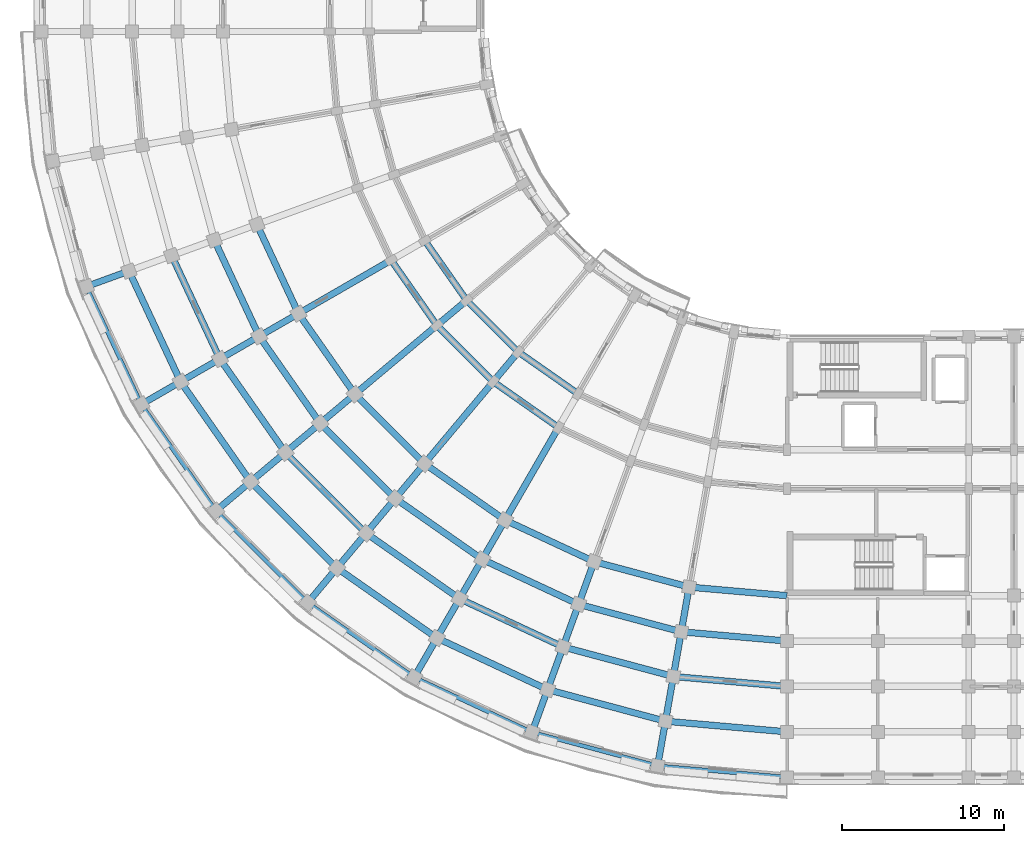
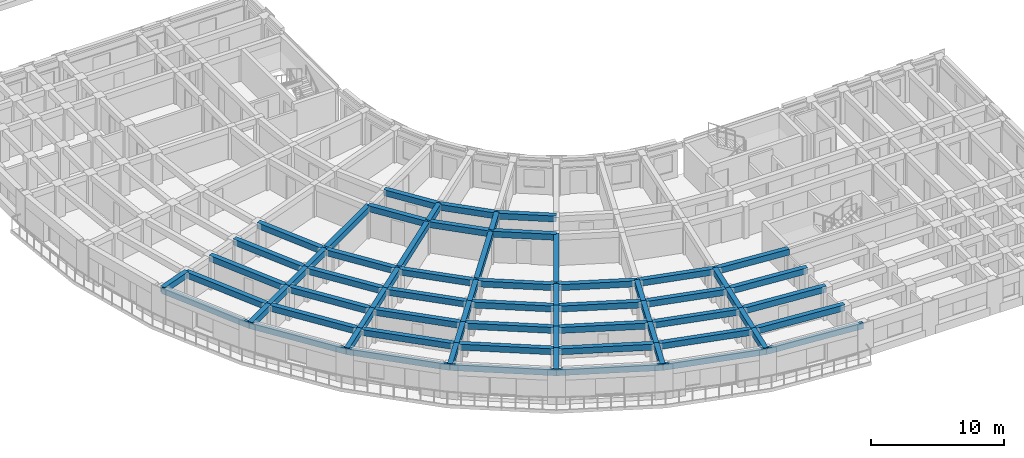
# One storey, part 3 of 54: 72 beams.
"""IFC4 building model written with IfcOpenShell, lengths in metres."""

from ifc_helpers import new_model, si_unit, direction, frame, origin, origin_2d, place, context, subcontext, project, spatial, rectangle, extrude, material, material_profile, profile_set, type_object, element, save


model = new_model("IFC4")

# Units and contexts
model_context = context("Model", 3, precision=1e-05, world=origin(), true_north=direction((0.0, 1.0)))
body_context = subcontext(model_context, "Body", "Model", "MODEL_VIEW")
ifc_project = project(units=[si_unit("LENGTHUNIT", "METRE"), si_unit("AREAUNIT", "SQUARE_METRE"), si_unit("VOLUMEUNIT", "CUBIC_METRE"), si_unit("PLANEANGLEUNIT", "RADIAN"), si_unit("MASSUNIT", "GRAM", prefix="KILO")], contexts=[model_context])

# Site, building, storey
site_placement = place(None, origin())
site = spatial("IfcSite", under=ifc_project, at=site_placement, CompositionType="ELEMENT")
building_placement = place(site_placement, origin())
building = spatial("IfcBuilding", under=site, at=building_placement, Name="Kiranvali Square Residences", CompositionType="ELEMENT")
storey_placement = place(building_placement, frame((0.0, 0.0, 11.85009765625)))
storey = spatial("IfcBuildingStorey", under=building, at=storey_placement, Name="L03", CompositionType="ELEMENT", Elevation=11.85009765625)

# Beams
ifc_material_1 = material(Name="Concrete M45 (45 MPa)", Category="concrete")
ifc_material_profile_1 = material_profile(ifc_material_1, rectangle(XDim=0.39990234375, YDim=0.550048828125, at=origin_2d()), Name="RC 400x550")
ifc_profile_set_1 = profile_set([ifc_material_profile_1], Name="Concrete M45 (45 MPa)")
beam_type_1 = type_object("IfcBeamType", Name="BM-M45-400x550", PredefinedType="BEAM", material=ifc_profile_set_1)
beam_1_placement = place(storey_placement, frame((48.199951171875, 13.39990234375, 2.65478515625), z_axis=(-0.996193018494, 0.087174938512, 0.0), x_axis=(-0.087174938512, -0.996193018494, 0.0)))
element("IfcBeam", 1, at=beam_1_placement, inside=storey, type_object=beam_type_1, Name="L03 beam BM-C-L03-C00-R3", PredefinedType="BEAM", context=body_context, shape_type="SweptSolid", body=[
    extrude(rectangle(XDim=0.39990234375, YDim=0.550048828125, at=origin_2d()), origin(), (0.0, 0.0, 1.0), 6.066162109375),
])
beam_2_placement = place(storey_placement, frame((48.199951171875, 10.60009765625, 2.65478515625), z_axis=(-0.996196991902, 0.0871295204, 0.0), x_axis=(-0.0871295204, -0.996196991902, 0.0)))
element("IfcBeam", 2, at=beam_2_placement, inside=storey, type_object=beam_type_1, Name="L03 beam BM-C-L03-C00-R4", PredefinedType="BEAM", context=body_context, shape_type="SweptSolid", body=[
    extrude(rectangle(XDim=0.39990234375, YDim=0.550048828125, at=origin_2d()), origin(), (0.0, 0.0, 1.0), 6.553955078125),
])
beam_3_placement = place(storey_placement, frame((48.199951171875, 7.800048828125, 2.65478515625), z_axis=(-0.996194658198, 0.087156198737, 0.0), x_axis=(-0.087156198737, -0.996194658198, 0.0)))
element("IfcBeam", 3, at=beam_3_placement, inside=storey, type_object=beam_type_1, Name="L03 beam BM-C-L03-C00-R5", PredefinedType="BEAM", context=body_context, shape_type="SweptSolid", body=[
    extrude(rectangle(XDim=0.39990234375, YDim=0.550048828125, at=origin_2d()), origin(), (0.0, 0.0, 1.0), 7.042236328125),
])
beam_4_placement = place(storey_placement, frame((48.199951171875, 5.0, 2.65478515625), z_axis=(-0.996195195417, 0.087150058103, 0.0), x_axis=(-0.087150058103, -0.996195195417, 0.0)))
element("IfcBeam", 4, at=beam_4_placement, inside=storey, type_object=beam_type_1, Name="L03 beam BM-C-L03-C00-R6", PredefinedType="BEAM", context=body_context, shape_type="SweptSolid", body=[
    extrude(rectangle(XDim=0.39990234375, YDim=0.550048828125, at=origin_2d()), origin(), (0.0, 0.0, 1.0), 7.530029296875),
])
beam_5_placement = place(storey_placement, frame((42.156982421875, 13.9287109375, 2.65478515625), z_axis=(-0.965923618901, 0.258827283048, 0.0), x_axis=(-0.258827283048, -0.965923618901, 0.0)))
element("IfcBeam", 5, at=beam_5_placement, inside=storey, type_object=beam_type_1, Name="L03 beam BM-C-L03-C01-R3", PredefinedType="BEAM", context=body_context, shape_type="SweptSolid", body=[
    extrude(rectangle(XDim=0.39990234375, YDim=0.550048828125, at=origin_2d()), origin(), (0.0, 0.0, 1.0), 6.066162109375),
])
beam_6_placement = place(storey_placement, frame((41.6708984375, 11.171142578125, 2.65478515625), z_axis=(-0.965918287583, 0.258847178297, 0.0), x_axis=(-0.258847178297, -0.965918287583, 0.0)))
element("IfcBeam", 6, at=beam_6_placement, inside=storey, type_object=beam_type_1, Name="L03 beam BM-C-L03-C01-R4", PredefinedType="BEAM", context=body_context, shape_type="SweptSolid", body=[
    extrude(rectangle(XDim=0.39990234375, YDim=0.550048828125, at=origin_2d()), origin(), (0.0, 0.0, 1.0), 6.55419921875),
])
beam_7_placement = place(storey_placement, frame((41.1845703125, 8.413818359375, 2.65478515625), z_axis=(-0.965931029817, 0.258799624492, 0.0), x_axis=(-0.258799624492, -0.965931029817, 0.0)))
element("IfcBeam", 7, at=beam_7_placement, inside=storey, type_object=beam_type_1, Name="L03 beam BM-C-L03-C01-R5", PredefinedType="BEAM", context=body_context, shape_type="SweptSolid", body=[
    extrude(rectangle(XDim=0.39990234375, YDim=0.550048828125, at=origin_2d()), origin(), (0.0, 0.0, 1.0), 7.042236328125),
])
beam_8_placement = place(storey_placement, frame((40.698486328125, 5.65625, 2.65478515625), z_axis=(-0.965925909693, 0.258818733833, 0.0), x_axis=(-0.258818733833, -0.965925909693, 0.0)))
element("IfcBeam", 8, at=beam_8_placement, inside=storey, type_object=beam_type_1, Name="L03 beam BM-C-L03-C01-R6", PredefinedType="BEAM", context=body_context, shape_type="SweptSolid", body=[
    extrude(rectangle(XDim=0.39990234375, YDim=0.550048828125, at=origin_2d()), origin(), (0.0, 0.0, 1.0), 7.5302734375),
])
beam_9_placement = place(storey_placement, frame((36.297607421875, 15.498779296875, 2.65478515625), z_axis=(-0.906312656069, 0.42260781991, 0.0), x_axis=(-0.42260781991, -0.906312656069, 0.0)))
element("IfcBeam", 9, at=beam_9_placement, inside=storey, type_object=beam_type_1, Name="L03 beam BM-C-L03-C02-R3", PredefinedType="BEAM", context=body_context, shape_type="SweptSolid", body=[
    extrude(rectangle(XDim=0.39990234375, YDim=0.550048828125, at=origin_2d()), origin(), (0.0, 0.0, 1.0), 6.06591796875),
])
beam_10_placement = place(storey_placement, frame((35.340087890625, 12.86767578125, 2.65478515625), z_axis=(-0.906318225223, 0.422595876255, 0.0), x_axis=(-0.422595876255, -0.906318225223, 0.0)))
element("IfcBeam", 10, at=beam_10_placement, inside=storey, type_object=beam_type_1, Name="L03 beam BM-C-L03-C02-R4", PredefinedType="BEAM", context=body_context, shape_type="SweptSolid", body=[
    extrude(rectangle(XDim=0.39990234375, YDim=0.550048828125, at=origin_2d()), origin(), (0.0, 0.0, 1.0), 6.55419921875),
])
beam_11_placement = place(storey_placement, frame((34.38232421875, 10.236328125, 2.65478515625), z_axis=(-0.906297360311, 0.422640621205, 0.0), x_axis=(-0.422640621205, -0.906297360311, 0.0)))
element("IfcBeam", 11, at=beam_11_placement, inside=storey, type_object=beam_type_1, Name="L03 beam BM-C-L03-C02-R5", PredefinedType="BEAM", context=body_context, shape_type="SweptSolid", body=[
    extrude(rectangle(XDim=0.39990234375, YDim=0.550048828125, at=origin_2d()), origin(), (0.0, 0.0, 1.0), 7.042236328125),
])
beam_12_placement = place(storey_placement, frame((33.4248046875, 7.605224609375, 2.65478515625), z_axis=(-0.90630982703, 0.422613886933, 0.0), x_axis=(-0.422613886933, -0.90630982703, 0.0)))
element("IfcBeam", 12, at=beam_12_placement, inside=storey, type_object=beam_type_1, Name="L03 beam BM-C-L03-C02-R6", PredefinedType="BEAM", context=body_context, shape_type="SweptSolid", body=[
    extrude(rectangle(XDim=0.39990234375, YDim=0.550048828125, at=origin_2d()), origin(), (0.0, 0.0, 1.0), 7.5302734375),
])
beam_13_placement = place(storey_placement, frame((35.300048828125, 25.8564453125, 2.65478515625), z_axis=(-0.819155404658, 0.573571637217, 0.0), x_axis=(-0.573571637217, -0.819155404658, 0.0)))
element("IfcBeam", 13, at=beam_13_placement, inside=storey, type_object=beam_type_1, Name="L03 beam BM-C-L03-C03-R1", PredefinedType="BEAM", context=body_context, shape_type="SweptSolid", body=[
    extrude(rectangle(XDim=0.39990234375, YDim=0.550048828125, at=origin_2d()), origin(), (0.0, 0.0, 1.0), 4.497314453125),
])
beam_14_placement = place(storey_placement, frame((34.10009765625, 23.778076171875, 2.65478515625), z_axis=(-0.819140911474, 0.573592335331, 0.0), x_axis=(-0.573592335331, -0.819140911474, 0.0)))
element("IfcBeam", 14, at=beam_14_placement, inside=storey, type_object=beam_type_1, Name="L03 beam BM-C-L03-C03-R2", PredefinedType="BEAM", context=body_context, shape_type="SweptSolid", body=[
    extrude(rectangle(XDim=0.39990234375, YDim=0.550048828125, at=origin_2d()), origin(), (0.0, 0.0, 1.0), 4.915771484375),
])
beam_15_placement = place(storey_placement, frame((30.800048828125, 18.062255859375, 2.65478515625), z_axis=(-0.81913926159, 0.573594691504, 0.0), x_axis=(-0.573594691504, -0.81913926159, 0.0)))
element("IfcBeam", 15, at=beam_15_placement, inside=storey, type_object=beam_type_1, Name="L03 beam BM-C-L03-C03-R3", PredefinedType="BEAM", context=body_context, shape_type="SweptSolid", body=[
    extrude(rectangle(XDim=0.39990234375, YDim=0.550048828125, at=origin_2d()), origin(), (0.0, 0.0, 1.0), 6.066162109375),
])
beam_16_placement = place(storey_placement, frame((29.39990234375, 15.637451171875, 2.65478515625), z_axis=(-0.819144409176, 0.573587340268, 0.0), x_axis=(-0.573587340268, -0.819144409176, 0.0)))
element("IfcBeam", 16, at=beam_16_placement, inside=storey, type_object=beam_type_1, Name="L03 beam BM-C-L03-C03-R4", PredefinedType="BEAM", context=body_context, shape_type="SweptSolid", body=[
    extrude(rectangle(XDim=0.39990234375, YDim=0.550048828125, at=origin_2d()), origin(), (0.0, 0.0, 1.0), 6.553955078125),
])
beam_17_placement = place(storey_placement, frame((28.0, 13.212646484375, 2.65478515625), z_axis=(-0.819160249246, 0.57356471828, 0.0), x_axis=(-0.57356471828, -0.819160249246, 0.0)))
element("IfcBeam", 17, at=beam_17_placement, inside=storey, type_object=beam_type_1, Name="L03 beam BM-C-L03-C03-R5", PredefinedType="BEAM", context=body_context, shape_type="SweptSolid", body=[
    extrude(rectangle(XDim=0.39990234375, YDim=0.550048828125, at=origin_2d()), origin(), (0.0, 0.0, 1.0), 7.0419921875),
])
beam_18_placement = place(storey_placement, frame((26.60009765625, 10.78759765625, 2.65478515625), z_axis=(-0.819143569597, 0.573588539275, 0.0), x_axis=(-0.573588539275, -0.819143569597, 0.0)))
element("IfcBeam", 18, at=beam_18_placement, inside=storey, type_object=beam_type_1, Name="L03 beam BM-C-L03-C03-R6", PredefinedType="BEAM", context=body_context, shape_type="SweptSolid", body=[
    extrude(rectangle(XDim=0.39990234375, YDim=0.550048828125, at=origin_2d()), origin(), (0.0, 0.0, 1.0), 7.5302734375),
])
beam_19_placement = place(storey_placement, frame((31.615966796875, 28.43603515625, 2.65478515625), z_axis=(-0.707106781187, 0.707106781187, 0.0), x_axis=(-0.707106781187, -0.707106781187, 0.0)))
element("IfcBeam", 19, at=beam_19_placement, inside=storey, type_object=beam_type_1, Name="L03 beam BM-C-L03-C04-R1", PredefinedType="BEAM", context=body_context, shape_type="SweptSolid", body=[
    extrude(rectangle(XDim=0.39990234375, YDim=0.550048828125, at=origin_2d()), origin(), (0.0, 0.0, 1.0), 4.4970703125),
])
beam_20_placement = place(storey_placement, frame((30.073486328125, 26.59765625, 2.65478515625), z_axis=(-0.707106781187, 0.707106781187, 0.0), x_axis=(-0.707106781187, -0.707106781187, 0.0)))
element("IfcBeam", 20, at=beam_20_placement, inside=storey, type_object=beam_type_1, Name="L03 beam BM-C-L03-C04-R2", PredefinedType="BEAM", context=body_context, shape_type="SweptSolid", body=[
    extrude(rectangle(XDim=0.39990234375, YDim=0.550048828125, at=origin_2d()), origin(), (0.0, 0.0, 1.0), 4.91552734375),
])
beam_21_placement = place(storey_placement, frame((25.8310546875, 21.541748046875, 2.65478515625), z_axis=(-0.707106781187, 0.707106781187, 0.0), x_axis=(-0.707106781187, -0.707106781187, 0.0)))
element("IfcBeam", 21, at=beam_21_placement, inside=storey, type_object=beam_type_1, Name="L03 beam BM-C-L03-C04-R3", PredefinedType="BEAM", context=body_context, shape_type="SweptSolid", body=[
    extrude(rectangle(XDim=0.39990234375, YDim=0.550048828125, at=origin_2d()), origin(), (0.0, 0.0, 1.0), 6.06591796875),
])
beam_22_placement = place(storey_placement, frame((24.03125, 19.396728515625, 2.65478515625), z_axis=(-0.707106781187, 0.707106781187, 0.0), x_axis=(-0.707106781187, -0.707106781187, 0.0)))
element("IfcBeam", 22, at=beam_22_placement, inside=storey, type_object=beam_type_1, Name="L03 beam BM-C-L03-C04-R4", PredefinedType="BEAM", context=body_context, shape_type="SweptSolid", body=[
    extrude(rectangle(XDim=0.39990234375, YDim=0.550048828125, at=origin_2d()), origin(), (0.0, 0.0, 1.0), 6.55419921875),
])
beam_23_placement = place(storey_placement, frame((22.2314453125, 17.251708984375, 2.65478515625), z_axis=(-0.707106781187, 0.707106781187, 0.0), x_axis=(-0.707106781187, -0.707106781187, 0.0)))
element("IfcBeam", 23, at=beam_23_placement, inside=storey, type_object=beam_type_1, Name="L03 beam BM-C-L03-C04-R5", PredefinedType="BEAM", context=body_context, shape_type="SweptSolid", body=[
    extrude(rectangle(XDim=0.39990234375, YDim=0.550048828125, at=origin_2d()), origin(), (0.0, 0.0, 1.0), 7.04248046875),
])
beam_24_placement = place(storey_placement, frame((20.431640625, 15.10693359375, 2.65478515625), z_axis=(-0.707106781187, 0.707106781187, 0.0), x_axis=(-0.707106781187, -0.707106781187, 0.0)))
element("IfcBeam", 24, at=beam_24_placement, inside=storey, type_object=beam_type_1, Name="L03 beam BM-C-L03-C04-R6", PredefinedType="BEAM", context=body_context, shape_type="SweptSolid", body=[
    extrude(rectangle(XDim=0.39990234375, YDim=0.550048828125, at=origin_2d()), origin(), (0.0, 0.0, 1.0), 7.5302734375),
])
beam_25_placement = place(storey_placement, frame((28.43603515625, 31.615966796875, 2.65478515625), z_axis=(-0.573571637217, 0.819155404658, 0.0), x_axis=(-0.819155404658, -0.573571637217, 0.0)))
element("IfcBeam", 25, at=beam_25_placement, inside=storey, type_object=beam_type_1, Name="L03 beam BM-C-L03-C05-R1", PredefinedType="BEAM", context=body_context, shape_type="SweptSolid", body=[
    extrude(rectangle(XDim=0.39990234375, YDim=0.550048828125, at=origin_2d()), origin(), (0.0, 0.0, 1.0), 4.497314453125),
])
beam_26_placement = place(storey_placement, frame((26.59765625, 30.073486328125, 2.65478515625), z_axis=(-0.573592335331, 0.819140911474, 0.0), x_axis=(-0.819140911474, -0.573592335331, 0.0)))
element("IfcBeam", 26, at=beam_26_placement, inside=storey, type_object=beam_type_1, Name="L03 beam BM-C-L03-C05-R2", PredefinedType="BEAM", context=body_context, shape_type="SweptSolid", body=[
    extrude(rectangle(XDim=0.39990234375, YDim=0.550048828125, at=origin_2d()), origin(), (0.0, 0.0, 1.0), 4.915771484375),
])
beam_27_placement = place(storey_placement, frame((21.541748046875, 25.8310546875, 2.65478515625), z_axis=(-0.573594691504, 0.81913926159, 0.0), x_axis=(-0.81913926159, -0.573594691504, 0.0)))
element("IfcBeam", 27, at=beam_27_placement, inside=storey, type_object=beam_type_1, Name="L03 beam BM-C-L03-C05-R3", PredefinedType="BEAM", context=body_context, shape_type="SweptSolid", body=[
    extrude(rectangle(XDim=0.39990234375, YDim=0.550048828125, at=origin_2d()), origin(), (0.0, 0.0, 1.0), 6.066162109375),
])
beam_28_placement = place(storey_placement, frame((19.396728515625, 24.03125, 2.65478515625), z_axis=(-0.573587340268, 0.819144409176, 0.0), x_axis=(-0.819144409176, -0.573587340268, 0.0)))
element("IfcBeam", 28, at=beam_28_placement, inside=storey, type_object=beam_type_1, Name="L03 beam BM-C-L03-C05-R4", PredefinedType="BEAM", context=body_context, shape_type="SweptSolid", body=[
    extrude(rectangle(XDim=0.39990234375, YDim=0.550048828125, at=origin_2d()), origin(), (0.0, 0.0, 1.0), 6.553955078125),
])
beam_29_placement = place(storey_placement, frame((17.251708984375, 22.2314453125, 2.65478515625), z_axis=(-0.57356471828, 0.819160249246, 0.0), x_axis=(-0.819160249246, -0.57356471828, 0.0)))
element("IfcBeam", 29, at=beam_29_placement, inside=storey, type_object=beam_type_1, Name="L03 beam BM-C-L03-C05-R5", PredefinedType="BEAM", context=body_context, shape_type="SweptSolid", body=[
    extrude(rectangle(XDim=0.39990234375, YDim=0.550048828125, at=origin_2d()), origin(), (0.0, 0.0, 1.0), 7.0419921875),
])
beam_30_placement = place(storey_placement, frame((15.10693359375, 20.431640625, 2.65478515625), z_axis=(-0.573588539275, 0.819143569597, 0.0), x_axis=(-0.819143569597, -0.573588539275, 0.0)))
element("IfcBeam", 30, at=beam_30_placement, inside=storey, type_object=beam_type_1, Name="L03 beam BM-C-L03-C05-R6", PredefinedType="BEAM", context=body_context, shape_type="SweptSolid", body=[
    extrude(rectangle(XDim=0.39990234375, YDim=0.550048828125, at=origin_2d()), origin(), (0.0, 0.0, 1.0), 7.5302734375),
])
beam_31_placement = place(storey_placement, frame((18.062255859375, 30.800048828125, 2.65478515625), z_axis=(-0.42260781991, 0.906312656069, 0.0), x_axis=(-0.906312656069, -0.42260781991, 0.0)))
element("IfcBeam", 31, at=beam_31_placement, inside=storey, type_object=beam_type_1, Name="L03 beam BM-C-L03-C06-R3", PredefinedType="BEAM", context=body_context, shape_type="SweptSolid", body=[
    extrude(rectangle(XDim=0.39990234375, YDim=0.550048828125, at=origin_2d()), origin(), (0.0, 0.0, 1.0), 6.06591796875),
])
beam_32_placement = place(storey_placement, frame((15.637451171875, 29.39990234375, 2.65478515625), z_axis=(-0.422595876255, 0.906318225223, 0.0), x_axis=(-0.906318225223, -0.422595876255, 0.0)))
element("IfcBeam", 32, at=beam_32_placement, inside=storey, type_object=beam_type_1, Name="L03 beam BM-C-L03-C06-R4", PredefinedType="BEAM", context=body_context, shape_type="SweptSolid", body=[
    extrude(rectangle(XDim=0.39990234375, YDim=0.550048828125, at=origin_2d()), origin(), (0.0, 0.0, 1.0), 6.55419921875),
])
beam_33_placement = place(storey_placement, frame((13.212646484375, 28.0, 2.65478515625), z_axis=(-0.422640621205, 0.906297360311, 0.0), x_axis=(-0.906297360311, -0.422640621205, 0.0)))
element("IfcBeam", 33, at=beam_33_placement, inside=storey, type_object=beam_type_1, Name="L03 beam BM-C-L03-C06-R5", PredefinedType="BEAM", context=body_context, shape_type="SweptSolid", body=[
    extrude(rectangle(XDim=0.39990234375, YDim=0.550048828125, at=origin_2d()), origin(), (0.0, 0.0, 1.0), 7.042236328125),
])
beam_34_placement = place(storey_placement, frame((10.78759765625, 26.60009765625, 2.65478515625), z_axis=(-0.422613886933, 0.90630982703, 0.0), x_axis=(-0.90630982703, -0.422613886933, 0.0)))
element("IfcBeam", 34, at=beam_34_placement, inside=storey, type_object=beam_type_1, Name="L03 beam BM-C-L03-C06-R6", PredefinedType="BEAM", context=body_context, shape_type="SweptSolid", body=[
    extrude(rectangle(XDim=0.39990234375, YDim=0.550048828125, at=origin_2d()), origin(), (0.0, 0.0, 1.0), 7.5302734375),
])
beam_35_placement = place(storey_placement, frame((42.156982421875, 13.9287109375, 2.65478515625), z_axis=(-0.173596320392, -0.984816895441, 0.0), x_axis=(0.984816895441, -0.173596320392, 0.0)))
element("IfcBeam", 35, at=beam_35_placement, inside=storey, type_object=beam_type_1, Name="L03 beam BM-C-L03-RAD01-34", PredefinedType="BEAM", context=body_context, shape_type="SweptSolid", body=[
    extrude(rectangle(XDim=0.39990234375, YDim=0.550048828125, at=origin_2d()), origin(), (0.0, 0.0, 1.0), 2.800048828125),
])
beam_36_placement = place(storey_placement, frame((41.6708984375, 11.171142578125, 2.65478515625), z_axis=(-0.173695795656, -0.984799355489, 0.0), x_axis=(0.984799355489, -0.173695795656, 0.0)))
element("IfcBeam", 36, at=beam_36_placement, inside=storey, type_object=beam_type_1, Name="L03 beam BM-C-L03-RAD01-45", PredefinedType="BEAM", context=body_context, shape_type="SweptSolid", body=[
    extrude(rectangle(XDim=0.39990234375, YDim=0.550048828125, at=origin_2d()), origin(), (0.0, 0.0, 1.0), 2.7998046875),
])
beam_37_placement = place(storey_placement, frame((41.1845703125, 8.413818359375, 2.65478515625), z_axis=(-0.173596320392, -0.984816895441, 0.0), x_axis=(0.984816895441, -0.173596320392, 0.0)))
element("IfcBeam", 37, at=beam_37_placement, inside=storey, type_object=beam_type_1, Name="L03 beam BM-C-L03-RAD01-56", PredefinedType="BEAM", context=body_context, shape_type="SweptSolid", body=[
    extrude(rectangle(XDim=0.39990234375, YDim=0.550048828125, at=origin_2d()), origin(), (0.0, 0.0, 1.0), 2.800048828125),
])
for number, where, z_axis, x_axis, name in (
    (38, (40.698486328125, 5.65625, 2.65478515625), (-0.173695795656, -0.984799355489, 0.0), (0.984799355489, -0.173695795656, 0.0), "L03 beam BM-C-L03-RAD01-67"),
    (39, (36.297607421875, 15.498779296875, 2.65478515625), (-0.341981089711, -0.93970683422, 0.0), (0.93970683422, -0.341981089711, 0.0), "L03 beam BM-C-L03-RAD02-34"),
):
    element("IfcBeam", number, at=place(storey_placement, frame(where, z_axis=z_axis, x_axis=x_axis)), inside=storey, type_object=beam_type_1, Name=name, PredefinedType="BEAM", context=body_context, shape_type="SweptSolid", body=[
        extrude(rectangle(XDim=0.39990234375, YDim=0.550048828125, at=origin_2d()), origin(), (0.0, 0.0, 1.0), 2.7998046875),
    ])
beam_38_placement = place(storey_placement, frame((35.340087890625, 12.86767578125, 2.65478515625), z_axis=(-0.342030060398, -0.939689011208, 0.0), x_axis=(0.939689011208, -0.342030060398, 0.0)))
element("IfcBeam", 40, at=beam_38_placement, inside=storey, type_object=beam_type_1, Name="L03 beam BM-C-L03-RAD02-45", PredefinedType="BEAM", context=body_context, shape_type="SweptSolid", body=[
    extrude(rectangle(XDim=0.39990234375, YDim=0.550048828125, at=origin_2d()), origin(), (0.0, 0.0, 1.0), 2.80029296875),
])
beam_39_placement = place(storey_placement, frame((34.38232421875, 10.236328125, 2.65478515625), z_axis=(-0.341981089711, -0.93970683422, 0.0), x_axis=(0.93970683422, -0.341981089711, 0.0)))
element("IfcBeam", 41, at=beam_39_placement, inside=storey, type_object=beam_type_1, Name="L03 beam BM-C-L03-RAD02-56", PredefinedType="BEAM", context=body_context, shape_type="SweptSolid", body=[
    extrude(rectangle(XDim=0.39990234375, YDim=0.550048828125, at=origin_2d()), origin(), (0.0, 0.0, 1.0), 2.7998046875),
])
beam_40_placement = place(storey_placement, frame((33.4248046875, 7.605224609375, 2.65478515625), z_axis=(-0.342058084236, -0.939678810556, 0.0), x_axis=(0.939678810556, -0.342058084236, 0.0)))
element("IfcBeam", 42, at=beam_40_placement, inside=storey, type_object=beam_type_1, Name="L03 beam BM-C-L03-RAD02-67", PredefinedType="BEAM", context=body_context, shape_type="SweptSolid", body=[
    extrude(rectangle(XDim=0.39990234375, YDim=0.550048828125, at=origin_2d()), origin(), (0.0, 0.0, 1.0), 2.800048828125),
])
beam_41_placement = place(storey_placement, frame((34.10009765625, 23.778076171875, 2.65478515625), z_axis=(-0.500002094529, -0.866024194504, 0.0), x_axis=(0.866024194504, -0.500002094529, 0.0)))
element("IfcBeam", 43, at=beam_41_placement, inside=storey, type_object=beam_type_1, Name="L03 beam BM-C-L03-RAD03-23", PredefinedType="BEAM", context=body_context, shape_type="SweptSolid", body=[
    extrude(rectangle(XDim=0.39990234375, YDim=0.550048828125, at=origin_2d()), origin(), (0.0, 0.0, 1.0), 6.60009765625),
])
beam_42_placement = place(storey_placement, frame((30.800048828125, 18.062255859375, 2.65478515625), z_axis=(-0.500049511043, -0.865996816683, 0.0), x_axis=(0.865996816683, -0.500049511043, 0.0)))
element("IfcBeam", 44, at=beam_42_placement, inside=storey, type_object=beam_type_1, Name="L03 beam BM-C-L03-RAD03-34", PredefinedType="BEAM", context=body_context, shape_type="SweptSolid", body=[
    extrude(rectangle(XDim=0.39990234375, YDim=0.550048828125, at=origin_2d()), origin(), (0.0, 0.0, 1.0), 2.800048828125),
])
beam_43_placement = place(storey_placement, frame((29.39990234375, 15.637451171875, 2.65478515625), z_axis=(-0.49998411664, -0.866034573852, 0.0), x_axis=(0.866034573852, -0.49998411664, 0.0)))
element("IfcBeam", 45, at=beam_43_placement, inside=storey, type_object=beam_type_1, Name="L03 beam BM-C-L03-RAD03-45", PredefinedType="BEAM", context=body_context, shape_type="SweptSolid", body=[
    extrude(rectangle(XDim=0.39990234375, YDim=0.550048828125, at=origin_2d()), origin(), (0.0, 0.0, 1.0), 2.7998046875),
])
for number, where, z_axis, x_axis, name in (
    (46, (28.0, 13.212646484375, 2.65478515625), (-0.49994636267, -0.866056369097, 0.0), (0.866056369097, -0.49994636267, 0.0), "L03 beam BM-C-L03-RAD03-56"),
    (47, (26.60009765625, 10.78759765625, 2.65478515625), (-0.500049511043, -0.865996816683, 0.0), (0.865996816683, -0.500049511043, 0.0), "L03 beam BM-C-L03-RAD03-67"),
):
    element("IfcBeam", number, at=place(storey_placement, frame(where, z_axis=z_axis, x_axis=x_axis)), inside=storey, type_object=beam_type_1, Name=name, PredefinedType="BEAM", context=body_context, shape_type="SweptSolid", body=[
        extrude(rectangle(XDim=0.39990234375, YDim=0.550048828125, at=origin_2d()), origin(), (0.0, 0.0, 1.0), 2.800048828125),
    ])
beam_44_placement = place(storey_placement, frame((31.615966796875, 28.43603515625, 2.65478515625), z_axis=(-0.642762521781, -0.766065493671, 0.0), x_axis=(0.766065493671, -0.642762521781, 0.0)))
element("IfcBeam", 48, at=beam_44_placement, inside=storey, type_object=beam_type_1, Name="L03 beam BM-C-L03-RAD04-12", PredefinedType="BEAM", context=body_context, shape_type="SweptSolid", body=[
    extrude(rectangle(XDim=0.39990234375, YDim=0.550048828125, at=origin_2d()), origin(), (0.0, 0.0, 1.0), 2.399658203125),
])
beam_45_placement = place(storey_placement, frame((30.073486328125, 26.59765625, 2.65478515625), z_axis=(-0.642789470807, -0.766042881449, 0.0), x_axis=(0.766042881449, -0.642789470807, 0.0)))
element("IfcBeam", 49, at=beam_45_placement, inside=storey, type_object=beam_type_1, Name="L03 beam BM-C-L03-RAD04-23", PredefinedType="BEAM", context=body_context, shape_type="SweptSolid", body=[
    extrude(rectangle(XDim=0.39990234375, YDim=0.550048828125, at=origin_2d()), origin(), (0.0, 0.0, 1.0), 6.60009765625),
])
for number, where, z_axis, x_axis, name in (
    (50, (25.8310546875, 21.541748046875, 2.65478515625), (-0.642770757628, -0.766058583359, 0.0), (0.766058583359, -0.642770757628, 0.0), "L03 beam BM-C-L03-RAD04-34"),
    (51, (24.03125, 19.396728515625, 2.65478515625), (-0.642770757628, -0.766058583359, 0.0), (0.766058583359, -0.642770757628, 0.0), "L03 beam BM-C-L03-RAD04-45"),
):
    element("IfcBeam", number, at=place(storey_placement, frame(where, z_axis=z_axis, x_axis=x_axis)), inside=storey, type_object=beam_type_1, Name=name, PredefinedType="BEAM", context=body_context, shape_type="SweptSolid", body=[
        extrude(rectangle(XDim=0.39990234375, YDim=0.550048828125, at=origin_2d()), origin(), (0.0, 0.0, 1.0), 2.800048828125),
    ])
beam_46_placement = place(storey_placement, frame((22.2314453125, 17.251708984375, 2.65478515625), z_axis=(-0.642813692253, -0.76602255649, 0.0), x_axis=(0.76602255649, -0.642813692253, 0.0)))
element("IfcBeam", 52, at=beam_46_placement, inside=storey, type_object=beam_type_1, Name="L03 beam BM-C-L03-RAD04-56", PredefinedType="BEAM", context=body_context, shape_type="SweptSolid", body=[
    extrude(rectangle(XDim=0.39990234375, YDim=0.550048828125, at=origin_2d()), origin(), (0.0, 0.0, 1.0), 2.7998046875),
])
beam_47_placement = place(storey_placement, frame((20.431640625, 15.10693359375, 2.65478515625), z_axis=(-0.642770757628, -0.766058583359, 0.0), x_axis=(0.766058583359, -0.642770757628, 0.0)))
element("IfcBeam", 53, at=beam_47_placement, inside=storey, type_object=beam_type_1, Name="L03 beam BM-C-L03-RAD04-67", PredefinedType="BEAM", context=body_context, shape_type="SweptSolid", body=[
    extrude(rectangle(XDim=0.39990234375, YDim=0.550048828125, at=origin_2d()), origin(), (0.0, 0.0, 1.0), 2.800048828125),
])
beam_48_placement = place(storey_placement, frame((28.43603515625, 31.615966796875, 2.65478515625), z_axis=(-0.766065493671, -0.642762521781, 0.0), x_axis=(0.642762521781, -0.766065493671, 0.0)))
element("IfcBeam", 54, at=beam_48_placement, inside=storey, type_object=beam_type_1, Name="L03 beam BM-C-L03-RAD05-12", PredefinedType="BEAM", context=body_context, shape_type="SweptSolid", body=[
    extrude(rectangle(XDim=0.39990234375, YDim=0.550048828125, at=origin_2d()), origin(), (0.0, 0.0, 1.0), 2.399658203125),
])
beam_49_placement = place(storey_placement, frame((26.59765625, 30.073486328125, 2.65478515625), z_axis=(-0.766042881449, -0.642789470807, 0.0), x_axis=(0.642789470807, -0.766042881449, 0.0)))
element("IfcBeam", 55, at=beam_49_placement, inside=storey, type_object=beam_type_1, Name="L03 beam BM-C-L03-RAD05-23", PredefinedType="BEAM", context=body_context, shape_type="SweptSolid", body=[
    extrude(rectangle(XDim=0.39990234375, YDim=0.550048828125, at=origin_2d()), origin(), (0.0, 0.0, 1.0), 6.60009765625),
])
for number, where, z_axis, x_axis, name in (
    (56, (21.541748046875, 25.8310546875, 2.65478515625), (-0.766058583359, -0.642770757628, 0.0), (0.642770757628, -0.766058583359, 0.0), "L03 beam BM-C-L03-RAD05-34"),
    (57, (19.396728515625, 24.03125, 2.65478515625), (-0.766058583359, -0.642770757628, 0.0), (0.642770757628, -0.766058583359, 0.0), "L03 beam BM-C-L03-RAD05-45"),
):
    element("IfcBeam", number, at=place(storey_placement, frame(where, z_axis=z_axis, x_axis=x_axis)), inside=storey, type_object=beam_type_1, Name=name, PredefinedType="BEAM", context=body_context, shape_type="SweptSolid", body=[
        extrude(rectangle(XDim=0.39990234375, YDim=0.550048828125, at=origin_2d()), origin(), (0.0, 0.0, 1.0), 2.800048828125),
    ])
beam_50_placement = place(storey_placement, frame((17.251708984375, 22.2314453125, 2.65478515625), z_axis=(-0.76602255649, -0.642813692253, 0.0), x_axis=(0.642813692253, -0.76602255649, 0.0)))
element("IfcBeam", 58, at=beam_50_placement, inside=storey, type_object=beam_type_1, Name="L03 beam BM-C-L03-RAD05-56", PredefinedType="BEAM", context=body_context, shape_type="SweptSolid", body=[
    extrude(rectangle(XDim=0.39990234375, YDim=0.550048828125, at=origin_2d()), origin(), (0.0, 0.0, 1.0), 2.7998046875),
])
beam_51_placement = place(storey_placement, frame((15.10693359375, 20.431640625, 2.65478515625), z_axis=(-0.766058583359, -0.642770757628, 0.0), x_axis=(0.642770757628, -0.766058583359, 0.0)))
element("IfcBeam", 59, at=beam_51_placement, inside=storey, type_object=beam_type_1, Name="L03 beam BM-C-L03-RAD05-67", PredefinedType="BEAM", context=body_context, shape_type="SweptSolid", body=[
    extrude(rectangle(XDim=0.39990234375, YDim=0.550048828125, at=origin_2d()), origin(), (0.0, 0.0, 1.0), 2.800048828125),
])
beam_52_placement = place(storey_placement, frame((23.778076171875, 34.10009765625, 2.65478515625), z_axis=(-0.866024194504, -0.500002094529, 0.0), x_axis=(0.500002094529, -0.866024194504, 0.0)))
element("IfcBeam", 60, at=beam_52_placement, inside=storey, type_object=beam_type_1, Name="L03 beam BM-C-L03-RAD06-23", PredefinedType="BEAM", context=body_context, shape_type="SweptSolid", body=[
    extrude(rectangle(XDim=0.39990234375, YDim=0.550048828125, at=origin_2d()), origin(), (0.0, 0.0, 1.0), 6.60009765625),
])
beam_53_placement = place(storey_placement, frame((18.062255859375, 30.800048828125, 2.65478515625), z_axis=(-0.865996816683, -0.500049511043, 0.0), x_axis=(0.500049511043, -0.865996816683, 0.0)))
element("IfcBeam", 61, at=beam_53_placement, inside=storey, type_object=beam_type_1, Name="L03 beam BM-C-L03-RAD06-34", PredefinedType="BEAM", context=body_context, shape_type="SweptSolid", body=[
    extrude(rectangle(XDim=0.39990234375, YDim=0.550048828125, at=origin_2d()), origin(), (0.0, 0.0, 1.0), 2.800048828125),
])
beam_54_placement = place(storey_placement, frame((15.637451171875, 29.39990234375, 2.65478515625), z_axis=(-0.866034573852, -0.49998411664, 0.0), x_axis=(0.49998411664, -0.866034573852, 0.0)))
element("IfcBeam", 62, at=beam_54_placement, inside=storey, type_object=beam_type_1, Name="L03 beam BM-C-L03-RAD06-45", PredefinedType="BEAM", context=body_context, shape_type="SweptSolid", body=[
    extrude(rectangle(XDim=0.39990234375, YDim=0.550048828125, at=origin_2d()), origin(), (0.0, 0.0, 1.0), 2.7998046875),
])
for number, where, z_axis, x_axis, name in (
    (63, (13.212646484375, 28.0, 2.65478515625), (-0.866056369097, -0.49994636267, 0.0), (0.49994636267, -0.866056369097, 0.0), "L03 beam BM-C-L03-RAD06-56"),
    (64, (10.78759765625, 26.60009765625, 2.65478515625), (-0.865996816683, -0.500049511043, 0.0), (0.500049511043, -0.865996816683, 0.0), "L03 beam BM-C-L03-RAD06-67"),
    (65, (7.605224609375, 33.4248046875, 2.65478515625), (-0.939678810556, -0.342058084236, 0.0), (0.342058084236, -0.939678810556, 0.0), "L03 beam BM-C-L03-RAD07-67"),
):
    element("IfcBeam", number, at=place(storey_placement, frame(where, z_axis=z_axis, x_axis=x_axis)), inside=storey, type_object=beam_type_1, Name=name, PredefinedType="BEAM", context=body_context, shape_type="SweptSolid", body=[
        extrude(rectangle(XDim=0.39990234375, YDim=0.550048828125, at=origin_2d()), origin(), (0.0, 0.0, 1.0), 2.800048828125),
    ])
ifc_material_2 = material(Name="Concrete M40 (40 MPa)", Category="concrete")
ifc_material_profile_2 = material_profile(ifc_material_2, rectangle(XDim=0.25, YDim=0.550048828125, at=origin_2d()), Name="RC 250x550")
ifc_profile_set_2 = profile_set([ifc_material_profile_2], Name="Concrete M40 (40 MPa)")
beam_type_2 = type_object("IfcBeamType", Name="SPN-M40-250x550", PredefinedType="SPANDREL", material=ifc_profile_set_2)
for number, where, z_axis, x_axis, name in (
    (66, (48.199951171875, 2.199951171875, 2.65478515625), (-0.996193254792, 0.087172238171, 0.0), (-0.087172238171, -0.996193254792, 0.0), "L03 beam BM-C-L03-C00-R7"),
    (67, (40.212158203125, 2.89892578125, 2.65478515625), (-0.96592902462, 0.258807108475, 0.0), (-0.258807108475, -0.96592902462, 0.0), "L03 beam BM-C-L03-C01-R7"),
    (68, (32.467041015625, 4.97412109375, 2.65478515625), (-0.906309113636, 0.422615416827, 0.0), (-0.422615416827, -0.906309113636, 0.0), "L03 beam BM-C-L03-C02-R7"),
    (69, (25.199951171875, 8.36279296875, 2.65478515625), (-0.819147515001, 0.573582904791, 0.0), (-0.573582904791, -0.819147515001, 0.0), "L03 beam BM-C-L03-C03-R7"),
):
    element("IfcBeam", number, at=place(storey_placement, frame(where, z_axis=z_axis, x_axis=x_axis)), inside=storey, type_object=beam_type_2, Name=name, PredefinedType="SPANDREL", context=body_context, shape_type="SweptSolid", body=[
        extrude(rectangle(XDim=0.25, YDim=0.550048828125, at=origin_2d()), origin(), (0.0, 0.0, 1.0), 8.018310546875),
    ])
beam_55_placement = place(storey_placement, frame((18.6318359375, 12.9619140625, 2.65478515625), z_axis=(-0.707106781187, 0.707106781187, 0.0), x_axis=(-0.707106781187, -0.707106781187, 0.0)))
element("IfcBeam", 70, at=beam_55_placement, inside=storey, type_object=beam_type_2, Name="L03 beam BM-C-L03-C04-R7", PredefinedType="SPANDREL", context=body_context, shape_type="SweptSolid", body=[
    extrude(rectangle(XDim=0.25, YDim=0.550048828125, at=origin_2d()), origin(), (0.0, 0.0, 1.0), 8.0185546875),
])
for number, where, z_axis, x_axis, name in (
    (71, (12.9619140625, 18.6318359375, 2.65478515625), (-0.573582904791, 0.819147515001, 0.0), (-0.819147515001, -0.573582904791, 0.0), "L03 beam BM-C-L03-C05-R7"),
    (72, (8.36279296875, 25.199951171875, 2.65478515625), (-0.422615416827, 0.906309113636, 0.0), (-0.906309113636, -0.422615416827, 0.0), "L03 beam BM-C-L03-C06-R7"),
):
    element("IfcBeam", number, at=place(storey_placement, frame(where, z_axis=z_axis, x_axis=x_axis)), inside=storey, type_object=beam_type_2, Name=name, PredefinedType="SPANDREL", context=body_context, shape_type="SweptSolid", body=[
        extrude(rectangle(XDim=0.25, YDim=0.550048828125, at=origin_2d()), origin(), (0.0, 0.0, 1.0), 8.018310546875),
    ])

save(model, "model.ifc")
